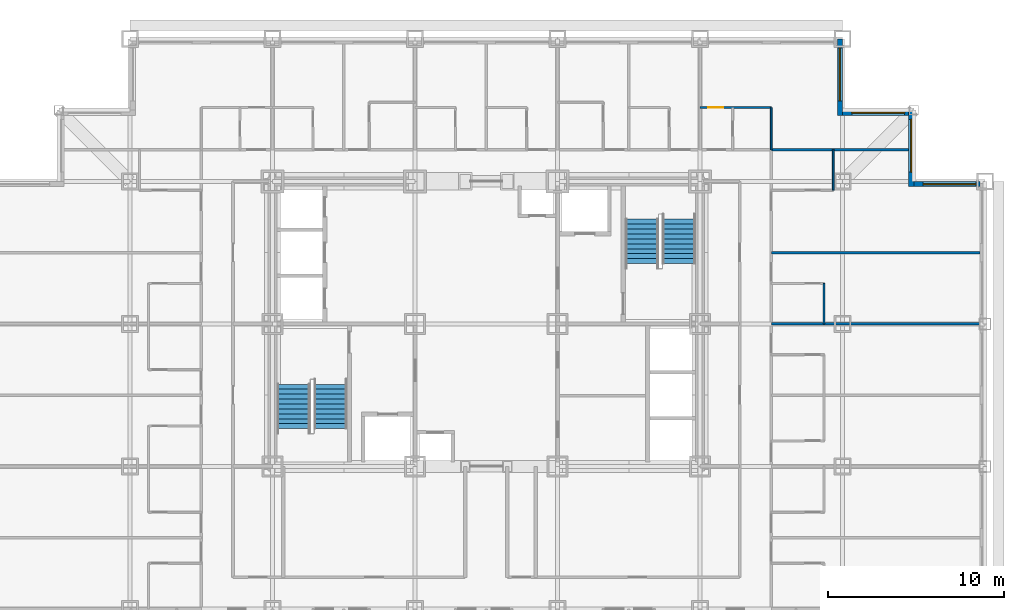
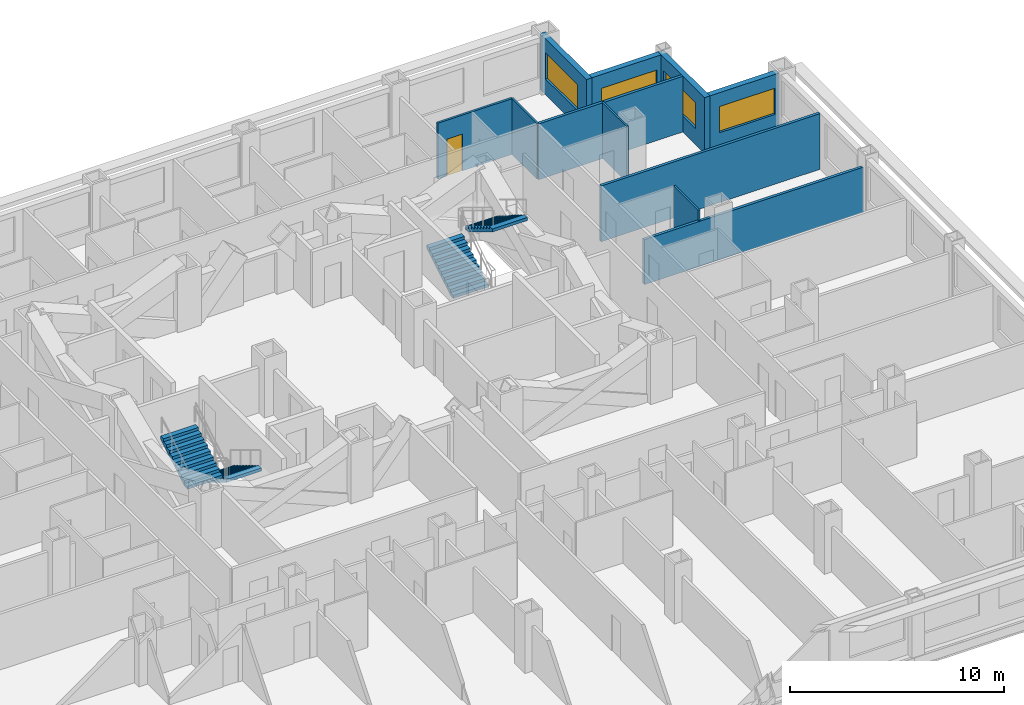
# One storey, part 10 of 11: 11 walls, 4 stair flights, 4 windows, 1 door, 5 openings, 2 elements without a shape of their own.
"""IFC4 building model written with IfcOpenShell, lengths in metres."""

from ifc_helpers import new_model, si_unit, direction, frame, frame_2d, origin, place, context, subcontext, project, spatial, rectangle, extrude, polygons, source, transform, mapped, material, layer, layer_set, type_object, element, fill, aggregate, save


model = new_model("IFC4")

# Units and contexts
model_context = context("Model", 3, precision=1e-05, world=origin(), true_north=direction((0.0, 1.0)))
body_context = subcontext(model_context, "Body", "Model", "MODEL_VIEW")
ifc_project = project(units=[si_unit("LENGTHUNIT", "METRE"), si_unit("AREAUNIT", "SQUARE_METRE"), si_unit("VOLUMEUNIT", "CUBIC_METRE"), si_unit("PLANEANGLEUNIT", "RADIAN"), si_unit("MASSUNIT", "GRAM", prefix="KILO")], contexts=[model_context])

# Site, building, storey
site_placement = place(None, origin())
site = spatial("IfcSite", under=ifc_project, at=site_placement, CompositionType="ELEMENT")
building_placement = place(site_placement, origin())
building = spatial("IfcBuilding", under=site, at=building_placement, Name="Kopane Lantern Tower", CompositionType="ELEMENT")
storey_placement = place(building_placement, frame((0.0, 0.0, 33.0)))
storey = spatial("IfcBuildingStorey", under=building, at=storey_placement, Name="L06", CompositionType="ELEMENT", Elevation=33.0)

# Wall, opening, door
ifc_material_1 = material(Name="Gypsum board on steel studs", Category="steel")
ifc_layer_1 = layer(ifc_material_1, 0.1201171875)
ifc_layer_set_1 = layer_set([ifc_layer_1], Name="APARTMENT INTERNAL WALL 120")
wall_type_1 = type_object("IfcWallType", Name="APARTMENT INTERNAL WALL 120", PredefinedType="PARTITIONING", material=ifc_layer_set_1)
wall_1_placement = place(storey_placement, frame((40.5, 44.699951171875, 0.0), z_axis=(0.0, 0.0, 1.0), x_axis=(1.0, 0.0, 0.0)))
wall_1 = element("IfcWall", 1, at=wall_1_placement, inside=storey, type_object=wall_type_1, Name="Apartment Internal Wall 120 L06", PredefinedType="PARTITIONING", context=body_context, shape_type="SweptSolid", body=[
    extrude(rectangle(XDim=4.050048828125, YDim=0.1201171875, at=frame_2d((2.02490234375, 0.0))), origin(), (0.0, 0.0, 1.0), 3.18994140625),
])
opening_1_placement = place(wall_1_placement, frame((0.47509765625, 0.0, 0.0)))
opening_1 = element("IfcOpeningElement", 2, at=opening_1_placement, cuts=wall_1, Name="Opening L06-071", PredefinedType="OPENING", context=body_context, shape_type="SweptSolid", body=[
    extrude(rectangle(XDim=0.85009765625, YDim=2.10009765625, at=frame_2d((0.425048828125, 1.050048828125))), frame((0.0, 0.070068359375, 0.0), z_axis=(0.0, -1.0, 0.0), x_axis=(1.0, 0.0, 0.0)), (0.0, 0.0, 1.0), 0.14013671875),
])
ifc_material_2 = material(Name="Timber door set", Category="wood")
door_type = type_object("IfcDoorType", Name="DOOR D4 850x2100", OperationType="SINGLE_SWING_LEFT", PredefinedType="DOOR", material=ifc_material_2)
door_placement = place(opening_1_placement, origin())
door = element("IfcDoor", 3, at=door_placement, inside=storey, type_object=door_type, Name="Door L06-071", OperationType="SINGLE_SWING_LEFT", OverallHeight=2.10009765625, OverallWidth=0.85009765625, PredefinedType="DOOR", context=body_context, shape_type="SweptSolid", body=[
    extrude(rectangle(XDim=0.85009765625, YDim=2.10009765625, at=frame_2d((0.425048828125, 1.050048828125))), frame((0.0, 0.02490234375, 0.0), z_axis=(0.0, -1.0, 0.0), x_axis=(1.0, 0.0, 0.0)), (0.0, 0.0, 1.0), 0.050048828125),
])
fill(opening_1, door)

# Walls
ifc_material_3 = material(Name="Moisture-resistant board on steel studs", Category="steel")
ifc_layer_2 = layer(ifc_material_3, 0.10009765625)
ifc_layer_set_2 = layer_set([ifc_layer_2], Name="BATHROOM WALL 100")
wall_type_2 = type_object("IfcWallType", Name="BATHROOM WALL 100", PredefinedType="PARTITIONING", material=ifc_layer_set_2)
for number, where, z_axis, x_axis, name in (
    (4, (47.550048828125, 32.39990234375, 0.0), (0.0, 0.0, 1.0), (0.0, 1.0, 0.0), "Bathroom Wall 100 L06"),
    (5, (48.06494140625, 40.0, 0.0), (0.0, 0.0, 1.0), (0.0, 1.0, 0.0), "Bathroom Wall 100 L06"),
):
    element("IfcWall", number, at=place(storey_placement, frame(where, z_axis=z_axis, x_axis=x_axis)), inside=storey, type_object=wall_type_2, Name=name, PredefinedType="PARTITIONING", context=body_context, shape_type="SweptSolid", body=[
        extrude(rectangle(XDim=2.300048828125, YDim=0.10009765625, at=frame_2d((1.14990234375, 0.0))), origin(), (0.0, 0.0, 1.0), 3.18994140625),
    ])
wall_2_placement = place(storey_placement, frame((44.550048828125, 42.300048828125, 0.0), z_axis=(0.0, 0.0, 1.0), x_axis=(0.0, 1.0, 0.0)))
element("IfcWall", 6, at=wall_2_placement, inside=storey, type_object=wall_type_2, Name="Bathroom Wall 100 L06", PredefinedType="PARTITIONING", context=body_context, shape_type="SweptSolid", body=[
    extrude(rectangle(XDim=2.39990234375, YDim=0.10009765625, at=frame_2d((1.199951171875, 0.0))), origin(), (0.0, 0.0, 1.0), 3.18994140625),
])
ifc_material_4 = material(Name="Gypsum board on steel studs", Category="steel")
ifc_layer_3 = layer(ifc_material_4, 0.14990234375)
ifc_layer_set_3 = layer_set([ifc_layer_3], Name="DEMISING WALL 150 EI 60")
wall_type_3 = type_object("IfcWallType", Name="DEMISING WALL 150 EI 60", PredefinedType="PARTITIONING", material=ifc_layer_set_3)
wall_3_placement = place(storey_placement, frame((44.550048828125, 32.39990234375, 0.0), z_axis=(0.0, 0.0, 1.0), x_axis=(1.0, 0.0, 0.0)))
element("IfcWall", 7, at=wall_3_placement, inside=storey, type_object=wall_type_3, Name="Demising Wall 150 Ei 60 L06", PredefinedType="PARTITIONING", context=body_context, shape_type="SweptSolid", body=[
    extrude(rectangle(XDim=11.849853515625, YDim=0.14990234375, at=frame_2d((5.9248046875, 0.0))), origin(), (0.0, 0.0, 1.0), 2.577880859375),
])
wall_4_placement = place(storey_placement, frame((44.550048828125, 36.449951171875, 0.0), z_axis=(0.0, 0.0, 1.0), x_axis=(1.0, 0.0, 0.0)))
element("IfcWall", 8, at=wall_4_placement, inside=storey, type_object=wall_type_3, Name="Demising Wall 150 Ei 60 L06", PredefinedType="PARTITIONING", context=body_context, shape_type="SweptSolid", body=[
    extrude(rectangle(XDim=11.849853515625, YDim=0.14990234375, at=frame_2d((5.9248046875, 0.0))), origin(), (0.0, 0.0, 1.0), 3.18994140625),
])
wall_5_placement = place(storey_placement, frame((44.550048828125, 42.300048828125, 0.0), z_axis=(0.0, 0.0, 1.0), x_axis=(1.0, 0.0, 0.0)))
element("IfcWall", 9, at=wall_5_placement, inside=storey, type_object=wall_type_3, Name="Demising Wall 150 Ei 60 L06", PredefinedType="PARTITIONING", context=body_context, shape_type="SweptSolid", body=[
    extrude(rectangle(XDim=7.800048828125, YDim=0.14990234375, at=frame_2d((3.89990234375, 0.0))), origin(), (0.0, 0.0, 1.0), 3.18994140625),
])

# Wall, opening, window
ifc_material_5 = material(Name="Terracotta rainscreen on light steel framing", Category="masonry")
ifc_layer_4 = layer(ifc_material_5, 0.300048828125)
ifc_layer_set_4 = layer_set([ifc_layer_4], Name="EXTERNAL WALL EW1 300 TERRACOTTA")
wall_type_4 = type_object("IfcWallType", Name="EXTERNAL WALL EW1 300 TERRACOTTA", PredefinedType="SOLIDWALL", material=ifc_layer_set_4)
wall_6_placement = place(storey_placement, frame((56.39990234375, 40.35009765625, 0.0), z_axis=(0.0, 0.0, 1.0), x_axis=(-1.0, 0.0, 0.0)))
wall_6 = element("IfcWall", 10, at=wall_6_placement, inside=storey, type_object=wall_type_4, Name="External wall N L06", PredefinedType="SOLIDWALL", context=body_context, shape_type="SweptSolid", body=[
    extrude(rectangle(XDim=3.75, YDim=0.300048828125, at=frame_2d((1.875, 0.0))), origin(), (0.0, 0.0, 1.0), 3.18994140625),
])
opening_2_placement = place(wall_6_placement, frame((0.22509765625, 0.0, 0.89990234375)))
opening_2 = element("IfcOpeningElement", 11, at=opening_2_placement, cuts=wall_6, Name="Opening WR300150", PredefinedType="OPENING", context=body_context, shape_type="SweptSolid", body=[
    extrude(rectangle(XDim=3.0, YDim=1.5, at=frame_2d((1.5, 0.75))), frame((0.0, 0.159912109375, 0.0), z_axis=(0.0, -1.0, 0.0), x_axis=(1.0, 0.0, 0.0)), (0.0, 0.0, 1.0), 0.320068359375),
])
ifc_material_6 = material(Name="Aluminium and clear glass", Category="aluminium")
window_type = type_object("IfcWindowType", Name="RIBBON WINDOW WR300150 3000x1500", PartitioningType="SINGLE_PANEL", PredefinedType="WINDOW", material=ifc_material_6)
window_1_placement = place(opening_2_placement, origin())
window_1 = element("IfcWindow", 12, at=window_1_placement, inside=storey, type_object=window_type, Name="Window N L06", OverallHeight=1.5, OverallWidth=3.0, PartitioningType="SINGLE_PANEL", PredefinedType="WINDOW", context=body_context, shape_type="SweptSolid", body=[
    extrude(rectangle(XDim=3.0, YDim=1.5, at=frame_2d((1.5, 0.75))), frame((0.0, 0.030029296875, 0.0), z_axis=(0.0, -1.0, 0.0), x_axis=(1.0, 0.0, 0.0)), (0.0, 0.0, 1.0), 0.06005859375),
])
fill(opening_2, window_1)

wall_7_placement = place(storey_placement, frame((52.5, 40.199951171875, 0.0), z_axis=(0.0, 0.0, 1.0), x_axis=(0.0, 1.0, 0.0)))
wall_7 = element("IfcWall", 13, at=wall_7_placement, inside=storey, type_object=wall_type_4, Name="External wall E L06", PredefinedType="SOLIDWALL", context=body_context, shape_type="SweptSolid", body=[
    extrude(rectangle(XDim=4.35009765625, YDim=0.300048828125, at=frame_2d((2.175048828125, 0.0))), origin(), (0.0, 0.0, 1.0), 3.18994140625),
])
opening_3_placement = place(wall_7_placement, frame((0.824951171875, 0.0, 0.89990234375)))
opening_3 = element("IfcOpeningElement", 14, at=opening_3_placement, cuts=wall_7, Name="Opening WR300150", PredefinedType="OPENING", context=body_context, shape_type="SweptSolid", body=[
    extrude(rectangle(XDim=3.0, YDim=1.5, at=frame_2d((1.5, 0.75))), frame((0.0, 0.159912109375, 0.0), z_axis=(0.0, -1.0, 0.0), x_axis=(1.0, 0.0, 0.0)), (0.0, 0.0, 1.0), 0.320068359375),
])
window_2_placement = place(opening_3_placement, origin())
window_2 = element("IfcWindow", 15, at=window_2_placement, inside=storey, type_object=window_type, Name="Window E L06", OverallHeight=1.5, OverallWidth=3.0, PartitioningType="SINGLE_PANEL", PredefinedType="WINDOW", context=body_context, shape_type="SweptSolid", body=[
    extrude(rectangle(XDim=3.0, YDim=1.5, at=frame_2d((1.5, 0.75))), frame((0.0, 0.030029296875, 0.0), z_axis=(0.0, -1.0, 0.0), x_axis=(1.0, 0.0, 0.0)), (0.0, 0.0, 1.0), 0.06005859375),
])
fill(opening_3, window_2)

wall_8_placement = place(storey_placement, frame((52.35009765625, 44.39990234375, 0.0), z_axis=(0.0, 0.0, 1.0), x_axis=(-1.0, 0.0, 0.0)))
wall_8 = element("IfcWall", 16, at=wall_8_placement, inside=storey, type_object=wall_type_4, Name="External wall N L06", PredefinedType="SOLIDWALL", context=body_context, shape_type="SweptSolid", body=[
    extrude(rectangle(XDim=3.75, YDim=0.300048828125, at=frame_2d((1.875, 0.0))), origin(), (0.0, 0.0, 1.0), 3.18994140625),
])
opening_4_placement = place(wall_8_placement, frame((0.22509765625, 0.0, 0.89990234375)))
opening_4 = element("IfcOpeningElement", 17, at=opening_4_placement, cuts=wall_8, Name="Opening WR300150", PredefinedType="OPENING", context=body_context, shape_type="SweptSolid", body=[
    extrude(rectangle(XDim=3.0, YDim=1.5, at=frame_2d((1.5, 0.75))), frame((0.0, 0.159912109375, 0.0), z_axis=(0.0, -1.0, 0.0), x_axis=(1.0, 0.0, 0.0)), (0.0, 0.0, 1.0), 0.320068359375),
])
window_3_placement = place(opening_4_placement, origin())
window_3 = element("IfcWindow", 18, at=window_3_placement, inside=storey, type_object=window_type, Name="Window N L06", OverallHeight=1.5, OverallWidth=3.0, PartitioningType="SINGLE_PANEL", PredefinedType="WINDOW", context=body_context, shape_type="SweptSolid", body=[
    extrude(rectangle(XDim=3.0, YDim=1.5, at=frame_2d((1.5, 0.75))), frame((0.0, 0.030029296875, 0.0), z_axis=(0.0, -1.0, 0.0), x_axis=(1.0, 0.0, 0.0)), (0.0, 0.0, 1.0), 0.06005859375),
])
fill(opening_4, window_3)

wall_9_placement = place(storey_placement, frame((48.449951171875, 44.25, 0.0), z_axis=(0.0, 0.0, 1.0), x_axis=(0.0, 1.0, 0.0)))
wall_9 = element("IfcWall", 19, at=wall_9_placement, inside=storey, type_object=wall_type_4, Name="External wall E L06", PredefinedType="SOLIDWALL", context=body_context, shape_type="SweptSolid", body=[
    extrude(rectangle(XDim=4.35009765625, YDim=0.300048828125, at=frame_2d((2.175048828125, 0.0))), origin(), (0.0, 0.0, 1.0), 3.18994140625),
])
opening_5_placement = place(wall_9_placement, frame((0.824951171875, 0.0, 0.89990234375)))
opening_5 = element("IfcOpeningElement", 20, at=opening_5_placement, cuts=wall_9, Name="Opening WR300150", PredefinedType="OPENING", context=body_context, shape_type="SweptSolid", body=[
    extrude(rectangle(XDim=3.0, YDim=1.5, at=frame_2d((1.5, 0.75))), frame((0.0, 0.159912109375, 0.0), z_axis=(0.0, -1.0, 0.0), x_axis=(1.0, 0.0, 0.0)), (0.0, 0.0, 1.0), 0.320068359375),
])
window_4_placement = place(opening_5_placement, origin())
window_4 = element("IfcWindow", 21, at=window_4_placement, inside=storey, type_object=window_type, Name="Window E L06", OverallHeight=1.5, OverallWidth=3.0, PartitioningType="SINGLE_PANEL", PredefinedType="WINDOW", context=body_context, shape_type="SweptSolid", body=[
    extrude(rectangle(XDim=3.0, YDim=1.5, at=frame_2d((1.5, 0.75))), frame((0.0, 0.030029296875, 0.0), z_axis=(0.0, -1.0, 0.0), x_axis=(1.0, 0.0, 0.0)), (0.0, 0.0, 1.0), 0.06005859375),
])
fill(opening_5, window_4)

# Stair, stair flights
ifc_material_7 = material(Name="Steel S355JR", Category="steel")
stair_type = type_object("IfcStairType", Name="EXIT STAIR 1900 HALF TURN", PredefinedType="HALF_TURN_STAIR", material=ifc_material_7)
stair_1_placement = place(storey_placement, origin())
stair_1 = element("IfcStair", 22, at=stair_1_placement, inside=storey, type_object=stair_type, Name="Exit stair ST1 L06", PredefinedType="HALF_TURN_STAIR")
ifc_material_8 = material(Name="Steel S355JR", Category="steel")
stair_flight_type = type_object("IfcStairFlightType", Name="STAIR FLIGHT 1900 STEEL", PredefinedType="STRAIGHT", material=ifc_material_8)
shared_shape = source(origin(), body_context, "Body", "Tessellation", [
    polygons([(2.520019531, 0.949951172, 1.530029297), (2.239990234, 0.949951172, 1.530029297), (2.239990234, -0.949951172, 1.530029297), (2.520019531, -0.949951172, 1.530029297), (0.288818359, 0.949951172, 0.0), (2.520019531, 0.949951172, 1.354736328), (2.520019531, -0.949951172, 1.354736328), (0.288818359, -0.949951172, 0.0), (0.0, 0.949951172, 0.0), (0.0, -0.949951172, 0.0), (0.280029297, 0.949951172, 0.169921875), (0.0, 0.949951172, 0.169921875), (0.0, -0.949951172, 0.169921875), (0.280029297, -0.949951172, 0.169921875), (0.280029297, 0.949951172, 0.340087891), (0.280029297, -0.949951172, 0.340087891), (0.560058594, 0.949951172, 0.340087891), (0.560058594, -0.949951172, 0.340087891), (0.560058594, 0.949951172, 0.510009766), (0.560058594, -0.949951172, 0.510009766), (0.840087891, 0.949951172, 0.510009766), (0.840087891, -0.949951172, 0.510009766), (0.840087891, 0.949951172, 0.679931641), (0.840087891, -0.949951172, 0.679931641), (1.120117188, 0.949951172, 0.679931641), (1.120117188, -0.949951172, 0.679931641), (1.120117188, 0.949951172, 0.850097656), (1.120117188, -0.949951172, 0.850097656), (1.399902344, 0.949951172, 0.850097656), (1.399902344, -0.949951172, 0.850097656), (1.399902344, 0.949951172, 1.020019531), (1.399902344, -0.949951172, 1.020019531), (1.679931641, 0.949951172, 1.020019531), (1.679931641, -0.949951172, 1.020019531), (1.679931641, 0.949951172, 1.189941406), (1.679931641, -0.949951172, 1.189941406), (1.959960938, 0.949951172, 1.189941406), (1.959960938, -0.949951172, 1.189941406), (1.959960938, 0.949951172, 1.360107422), (1.959960938, -0.949951172, 1.360107422), (2.239990234, 0.949951172, 1.360107422), (2.239990234, -0.949951172, 1.360107422), (0.0, 0.0, 0.004592483), (0.0, 0.0, 0.009184966), (0.0, 0.0, 0.013777449), (0.0, 0.0, 0.018369932), (0.0, 0.0, 0.022962416), (0.0, 0.0, 0.027554899), (0.0, 0.0, 0.032147382), (0.0, 0.0, 0.036739865), (0.0, 0.0, 0.041332348), (0.0, 0.0, 0.045924831), (0.0, 0.0, 0.050517314), (0.0, 0.0, 0.055109797), (0.0, 0.0, 0.05970228), (0.0, 0.0, 0.064294764), (0.0, 0.0, 0.068887247), (0.0, 0.0, 0.07347973), (0.0, 0.0, 0.078072213), (0.0, 0.0, 0.082664696), (0.0, 0.0, 0.087257179), (0.0, 0.0, 0.091849662), (0.0, 0.0, 0.096442145), (0.0, 0.0, 0.101034628), (0.0, 0.0, 0.105627111), (0.0, 0.0, 0.110219595), (0.0, 0.0, 0.114812078), (0.0, 0.0, 0.119404561), (0.0, 0.0, 0.123997044), (0.0, 0.0, 0.128589527), (0.0, 0.0, 0.13318201), (0.0, 0.0, 0.137774493), (0.0, 0.0, 0.142366976), (0.0, 0.0, 0.146959459), (0.0, 0.0, 0.151551943), (0.0, 0.0, 0.156144426), (0.0, 0.0, 0.160736909), (0.0, 0.0, 0.165329392), (2.520019531, 0.0, 1.359473976), (2.520019531, 0.0, 1.364211624), (2.520019531, 0.0, 1.368949272), (2.520019531, 0.0, 1.373686919), (2.520019531, 0.0, 1.378424567), (2.520019531, 0.0, 1.383162215), (2.520019531, 0.0, 1.387899863), (2.520019531, 0.0, 1.392637511), (2.520019531, 0.0, 1.397375158), (2.520019531, 0.0, 1.402112806), (2.520019531, 0.0, 1.406850454), (2.520019531, 0.0, 1.411588102), (2.520019531, 0.0, 1.41632575), (2.520019531, 0.0, 1.421063397), (2.520019531, 0.0, 1.425801045), (2.520019531, 0.0, 1.430538693), (2.520019531, 0.0, 1.435276341), (2.520019531, 0.0, 1.440013989), (2.520019531, 0.0, 1.444751636), (2.520019531, 0.0, 1.449489284), (2.520019531, 0.0, 1.454226932), (2.520019531, 0.0, 1.45896458), (2.520019531, 0.0, 1.463702228), (2.520019531, 0.0, 1.468439875), (2.520019531, 0.0, 1.473177523), (2.520019531, 0.0, 1.477915171), (2.520019531, 0.0, 1.482652819), (2.520019531, 0.0, 1.487390467), (2.520019531, 0.0, 1.492128114), (2.520019531, 0.0, 1.496865762), (2.520019531, 0.0, 1.50160341), (2.520019531, 0.0, 1.506341058), (2.520019531, 0.0, 1.511078706), (2.520019531, 0.0, 1.515816353), (2.520019531, 0.0, 1.520554001), (2.520019531, 0.0, 1.525291649)], [[[1, 2, 3]], [[1, 3, 4]], [[5, 6, 7]], [[5, 7, 8]], [[9, 5, 8]], [[9, 8, 10]], [[11, 12, 13]], [[11, 13, 14]], [[15, 11, 14]], [[15, 14, 16]], [[17, 15, 16]], [[17, 16, 18]], [[19, 17, 18]], [[19, 18, 20]], [[21, 19, 20]], [[21, 20, 22]], [[23, 21, 22]], [[23, 22, 24]], [[25, 23, 24]], [[25, 24, 26]], [[27, 25, 26]], [[27, 26, 28]], [[29, 27, 28]], [[29, 28, 30]], [[31, 29, 30]], [[31, 30, 32]], [[33, 31, 32]], [[33, 32, 34]], [[35, 33, 34]], [[35, 34, 36]], [[37, 35, 36]], [[37, 36, 38]], [[39, 37, 38]], [[39, 38, 40]], [[41, 39, 40]], [[41, 40, 42]], [[2, 41, 42]], [[2, 42, 3]], [[41, 1, 6]], [[37, 41, 6]], [[2, 1, 41]], [[33, 37, 6]], [[39, 41, 37]], [[35, 37, 33]], [[31, 33, 29]], [[5, 21, 25]], [[27, 29, 25]], [[17, 21, 5]], [[23, 25, 21]], [[11, 17, 5]], [[19, 21, 17]], [[9, 11, 5]], [[15, 17, 11]], [[12, 11, 9]], [[6, 5, 25]], [[6, 25, 29]], [[6, 29, 33]], [[7, 4, 42]], [[7, 42, 38]], [[42, 4, 3]], [[7, 38, 34]], [[38, 42, 40]], [[34, 38, 36]], [[30, 34, 32]], [[26, 22, 8]], [[26, 30, 28]], [[8, 22, 18]], [[22, 26, 24]], [[8, 18, 14]], [[18, 22, 20]], [[8, 14, 10]], [[14, 18, 16]], [[10, 14, 13]], [[26, 8, 7]], [[30, 26, 7]], [[34, 30, 7]], [[10, 43, 9]], [[10, 44, 43]], [[9, 43, 44]], [[10, 45, 44]], [[9, 44, 45]], [[10, 46, 45]], [[9, 45, 46]], [[10, 47, 46]], [[9, 46, 47]], [[10, 48, 47]], [[9, 47, 48]], [[10, 49, 48]], [[9, 48, 49]], [[10, 50, 49]], [[9, 49, 50]], [[10, 51, 50]], [[9, 50, 51]], [[10, 52, 51]], [[9, 51, 52]], [[10, 53, 52]], [[9, 52, 53]], [[10, 54, 53]], [[9, 53, 54]], [[10, 55, 54]], [[9, 54, 55]], [[10, 56, 55]], [[9, 55, 56]], [[10, 57, 56]], [[9, 56, 57]], [[10, 58, 57]], [[9, 57, 58]], [[10, 59, 58]], [[9, 58, 59]], [[10, 60, 59]], [[9, 59, 60]], [[10, 61, 60]], [[9, 60, 61]], [[10, 62, 61]], [[9, 61, 62]], [[10, 63, 62]], [[9, 62, 63]], [[10, 64, 63]], [[9, 63, 64]], [[10, 65, 64]], [[9, 64, 65]], [[10, 66, 65]], [[9, 65, 66]], [[10, 67, 66]], [[9, 66, 67]], [[10, 68, 67]], [[9, 67, 68]], [[10, 69, 68]], [[9, 68, 69]], [[10, 70, 69]], [[9, 69, 70]], [[10, 71, 70]], [[9, 70, 71]], [[10, 72, 71]], [[9, 71, 72]], [[10, 73, 72]], [[9, 72, 73]], [[10, 74, 73]], [[9, 73, 74]], [[10, 75, 74]], [[9, 74, 75]], [[10, 76, 75]], [[9, 75, 76]], [[10, 77, 76]], [[9, 76, 77]], [[10, 78, 77]], [[9, 77, 78]], [[10, 13, 78]], [[78, 13, 12]], [[9, 78, 12]], [[7, 6, 79]], [[7, 79, 80]], [[6, 80, 79]], [[7, 80, 81]], [[6, 81, 80]], [[7, 81, 82]], [[6, 82, 81]], [[7, 82, 83]], [[6, 83, 82]], [[7, 83, 84]], [[6, 84, 83]], [[7, 84, 85]], [[6, 85, 84]], [[7, 85, 86]], [[6, 86, 85]], [[7, 86, 87]], [[6, 87, 86]], [[7, 87, 88]], [[6, 88, 87]], [[7, 88, 89]], [[6, 89, 88]], [[7, 89, 90]], [[6, 90, 89]], [[7, 90, 91]], [[6, 91, 90]], [[7, 91, 92]], [[6, 92, 91]], [[7, 92, 93]], [[6, 93, 92]], [[7, 93, 94]], [[6, 94, 93]], [[7, 94, 95]], [[6, 95, 94]], [[7, 95, 96]], [[6, 96, 95]], [[7, 96, 97]], [[6, 97, 96]], [[7, 97, 98]], [[6, 98, 97]], [[7, 98, 99]], [[6, 99, 98]], [[7, 99, 100]], [[6, 100, 99]], [[7, 100, 101]], [[6, 101, 100]], [[7, 101, 102]], [[6, 102, 101]], [[7, 102, 103]], [[6, 103, 102]], [[7, 103, 104]], [[6, 104, 103]], [[7, 104, 105]], [[6, 105, 104]], [[7, 105, 106]], [[6, 106, 105]], [[7, 106, 107]], [[6, 107, 106]], [[7, 107, 108]], [[6, 108, 107]], [[7, 108, 109]], [[6, 109, 108]], [[7, 109, 110]], [[6, 110, 109]], [[7, 110, 111]], [[6, 111, 110]], [[7, 111, 112]], [[6, 112, 111]], [[7, 112, 113]], [[6, 113, 112]], [[7, 113, 114]], [[6, 114, 113]], [[7, 114, 4]], [[114, 1, 4]], [[6, 1, 114]]], closed=True),
])
stair_flight_1_placement = place(storey_placement, frame((19.5, 28.969970703125, 0.0), z_axis=(0.0, 0.0, 1.0), x_axis=(0.0, -1.0, 0.0)))
stair_flight_1 = element("IfcStairFlight", 23, at=stair_flight_1_placement, type_object=stair_flight_type, Name="ST1 flight 1", NumberOfRisers=10, NumberOfTreads=9, PredefinedType="STRAIGHT", RiserHeight=0.17, TreadLength=0.28, context=body_context, shape_type="MappedRepresentation", body=[
    mapped(shared_shape, transform((0.0, 0.0, 0.0))),
])
stair_flight_2_placement = place(storey_placement, frame((17.39990234375, 26.449951171875, 1.699951171875), z_axis=(0.0, 0.0, 1.0), x_axis=(0.0, 1.0, 0.0)))
stair_flight_2 = element("IfcStairFlight", 24, at=stair_flight_2_placement, type_object=stair_flight_type, Name="ST1 flight 2", NumberOfRisers=10, NumberOfTreads=9, PredefinedType="STRAIGHT", RiserHeight=0.17, TreadLength=0.28, context=body_context, shape_type="MappedRepresentation", body=[
    mapped(shared_shape, transform((0.0, 0.0, 0.0))),
])
aggregate(stair_1, [stair_flight_1, stair_flight_2])

stair_2_placement = place(storey_placement, origin())
stair_2 = element("IfcStair", 25, at=stair_2_placement, inside=storey, type_object=stair_type, Name="Exit stair ST2 L06", PredefinedType="HALF_TURN_STAIR")
stair_flight_3_placement = place(storey_placement, frame((37.199951171875, 35.830078125, 0.0), z_axis=(0.0, 0.0, 1.0), x_axis=(0.0, 1.0, 0.0)))
stair_flight_3 = element("IfcStairFlight", 26, at=stair_flight_3_placement, type_object=stair_flight_type, Name="ST2 flight 1", NumberOfRisers=10, NumberOfTreads=9, PredefinedType="STRAIGHT", RiserHeight=0.17, TreadLength=0.28, context=body_context, shape_type="MappedRepresentation", body=[
    mapped(shared_shape, transform((0.0, 0.0, 0.0))),
])
stair_flight_4_placement = place(storey_placement, frame((39.300048828125, 38.35009765625, 1.699951171875), z_axis=(0.0, 0.0, 1.0), x_axis=(0.0, -1.0, 0.0)))
stair_flight_4 = element("IfcStairFlight", 27, at=stair_flight_4_placement, type_object=stair_flight_type, Name="ST2 flight 2", NumberOfRisers=10, NumberOfTreads=9, PredefinedType="STRAIGHT", RiserHeight=0.17, TreadLength=0.28, context=body_context, shape_type="MappedRepresentation", body=[
    mapped(shared_shape, transform((0.0, 0.0, 0.0))),
])
aggregate(stair_2, [stair_flight_3, stair_flight_4])

save(model, "model.ifc")
